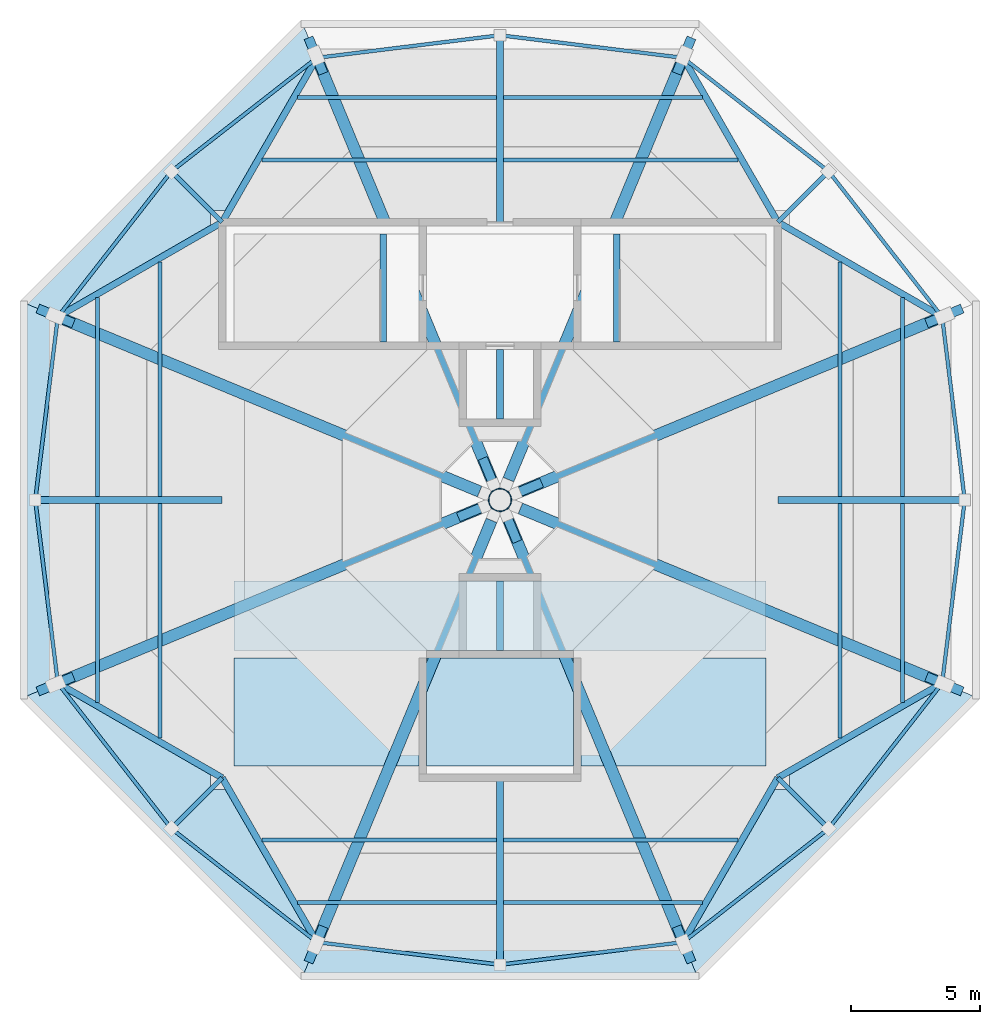
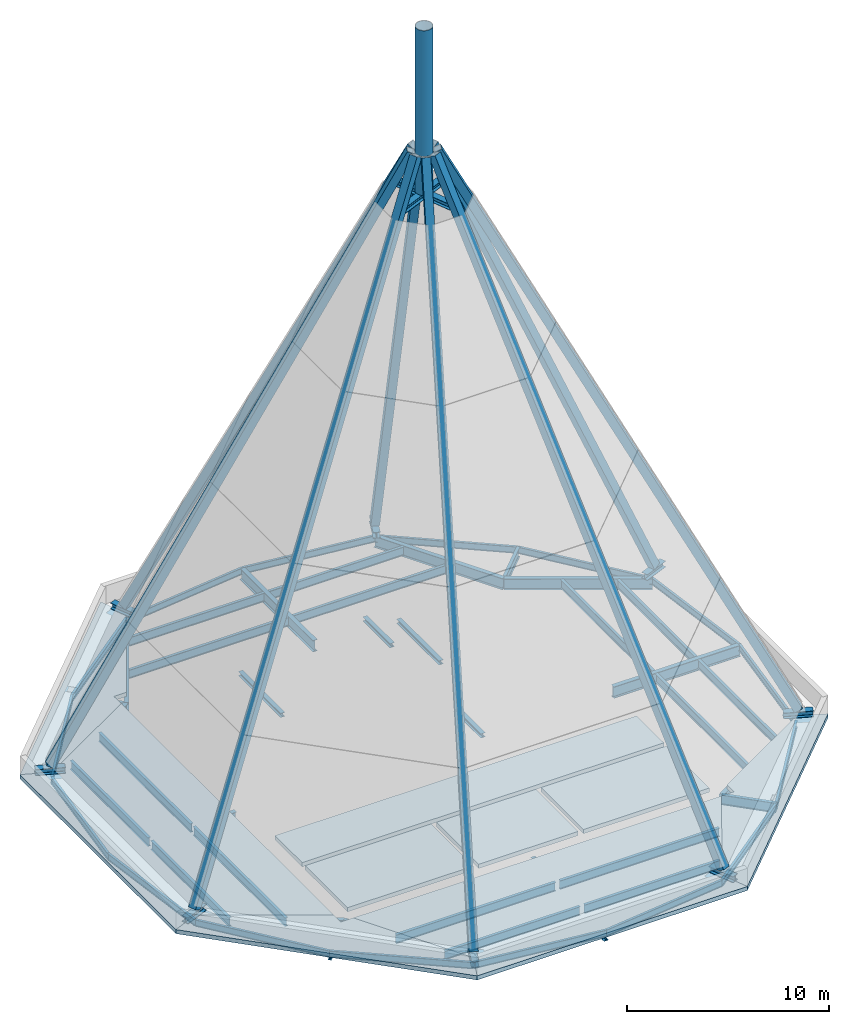
# One storey, part 1 of 4: 63 beams, 9 members, 9 slabs.
"""IFC4 building model written with IfcOpenShell, lengths in metres."""

from ifc_helpers import new_model, si_unit, direction, frame, origin, origin_2d, place, context, subcontext, project, spatial, polyline, hollow_rectangle, hollow_circle, i_section, outline, extrude, source, transform, mapped, material, layer, layer_set, material_profile, profile_set, type_object, type_shapes, element, save


model = new_model("IFC4")

# Units and contexts
model_context = context("Model", 3, precision=1e-05, world=origin(), true_north=direction((0.0, 1.0)))
body_context = subcontext(model_context, "Body", "Model", "MODEL_VIEW")
ifc_project = project(units=[si_unit("LENGTHUNIT", "METRE"), si_unit("AREAUNIT", "SQUARE_METRE"), si_unit("VOLUMEUNIT", "CUBIC_METRE"), si_unit("PLANEANGLEUNIT", "RADIAN"), si_unit("MASSUNIT", "GRAM", prefix="KILO")], contexts=[model_context])

# Site, building, storey
site_placement = place(None, origin())
site = spatial("IfcSite", under=ifc_project, at=site_placement, CompositionType="ELEMENT")
building_placement = place(site_placement, origin())
building = spatial("IfcBuilding", under=site, at=building_placement, Name="Mashrafa Tower", CompositionType="ELEMENT")
storey_placement = place(building_placement, frame((0.0, 0.0, 323.60009765625)))
storey = spatial("IfcBuildingStorey", under=building, at=storey_placement, Name="RF", CompositionType="ELEMENT", Elevation=323.60009765625)

# Beams
ifc_material_1 = material(Name="Steel ASTM A992", Category="steel")
ifc_material_profile_1 = material_profile(ifc_material_1, i_section(OverallWidth=0.140380859375, OverallDepth=0.40380859375, WebThickness=0.007080078125, FlangeThickness=0.01123046875, FilletRadius=0.01025390625, at=origin_2d()), Name="W16X31")
ifc_profile_set_1 = profile_set([ifc_material_profile_1], Name="Steel ASTM A992")
beam_type_1 = type_object("IfcBeamType", Name="Beam W16X31", PredefinedType="BEAM", material=ifc_profile_set_1)
for number, where, z_axis, x_axis, name in (
    (1, (-18.067626953125, 0.0, -0.4521484375), (0.122409457758, -0.992479684755, 0.0), (0.992479684755, 0.122409457758, 0.0), "Spandrel beam RF 033"),
    (2, (-17.189453125, -7.1201171875, -0.4521484375), (0.615249706785, -0.788332289267, 0.0), (0.788332289267, 0.615249706785, 0.0), "Spandrel beam RF 034"),
    (3, (-17.189453125, 7.1201171875, -0.4521484375), (-0.122409457758, -0.992479684755, 0.0), (0.992479684755, -0.122409457758, 0.0), "Spandrel beam RF 035"),
    (4, (-12.775634765625, -12.775634765625, -0.4521484375), (0.788332289267, -0.615249706785, 0.0), (0.615249706785, 0.788332289267, 0.0), "Spandrel beam RF 036"),
    (5, (-12.775634765625, 12.775634765625, -0.4521484375), (-0.615249706785, -0.788332289267, 0.0), (0.788332289267, -0.615249706785, 0.0), "Spandrel beam RF 037"),
    (6, (-7.1201171875, -17.189453125, -0.4521484375), (0.992479684755, -0.122409457758, 0.0), (0.122409457758, 0.992479684755, 0.0), "Spandrel beam RF 038"),
    (7, (-7.1201171875, 17.189453125, -0.4521484375), (-0.788332289267, -0.615249706785, 0.0), (0.615249706785, -0.788332289267, 0.0), "Spandrel beam RF 039"),
    (8, (0.0, -18.067626953125, -0.4521484375), (0.992479684755, 0.122409457758, 0.0), (-0.122409457758, 0.992479684755, 0.0), "Spandrel beam RF 040"),
    (9, (0.0, 18.067626953125, -0.4521484375), (-0.992479684755, -0.122409457758, 0.0), (0.122409457758, -0.992479684755, 0.0), "Spandrel beam RF 041"),
    (10, (7.1201171875, -17.189453125, -0.4521484375), (0.788332289267, 0.615249706785, 0.0), (-0.615249706785, 0.788332289267, 0.0), "Spandrel beam RF 042"),
    (11, (7.1201171875, 17.189453125, -0.4521484375), (-0.992479684755, 0.122409457758, 0.0), (-0.122409457758, -0.992479684755, 0.0), "Spandrel beam RF 043"),
    (12, (12.775634765625, -12.775634765625, -0.4521484375), (0.615249706785, 0.788332289267, 0.0), (-0.788332289267, 0.615249706785, 0.0), "Spandrel beam RF 044"),
    (13, (12.775634765625, 12.775634765625, -0.4521484375), (-0.788332289267, 0.615249706785, 0.0), (-0.615249706785, -0.788332289267, 0.0), "Spandrel beam RF 045"),
    (14, (17.189453125, -7.1201171875, -0.4521484375), (0.122409457758, 0.992479684755, 0.0), (-0.992479684755, 0.122409457758, 0.0), "Spandrel beam RF 046"),
    (15, (17.189453125, 7.1201171875, -0.4521484375), (-0.615249706785, 0.788332289267, 0.0), (-0.788332289267, -0.615249706785, 0.0), "Spandrel beam RF 047"),
    (16, (18.067626953125, 0.0, -0.4521484375), (-0.122409457758, 0.992479684755, 0.0), (-0.992479684755, -0.122409457758, 0.0), "Spandrel beam RF 048"),
):
    element("IfcBeam", number, at=place(storey_placement, frame(where, z_axis=z_axis, x_axis=x_axis)), inside=storey, type_object=beam_type_1, Name=name, PredefinedType="BEAM", context=body_context, shape_type="SweptSolid", body=[
        extrude(i_section(OverallWidth=0.140380859375, OverallDepth=0.40380859375, WebThickness=0.007080078125, FlangeThickness=0.01123046875, FilletRadius=0.01025390625, at=origin_2d()), origin(), (0.0, 0.0, 1.0), 7.174072265625),
    ])
ifc_material_2 = material(Name="Steel ASTM A992", Category="steel")
ifc_material_profile_2 = material_profile(ifc_material_2, i_section(OverallWidth=0.1650390625, OverallDepth=0.52587890625, WebThickness=0.0087890625, FlangeThickness=0.011474609375, FilletRadius=0.0126953125, at=origin_2d()), Name="W21X44")
ifc_profile_set_2 = profile_set([ifc_material_profile_2], Name="Steel ASTM A992")
beam_type_2 = type_object("IfcBeamType", Name="Beam W21X44", PredefinedType="BEAM", material=ifc_profile_set_2)
for number, where, z_axis, x_axis, name in (
    (17, (-15.64501953125, -7.86279296875, -0.512939453125), (0.0, 1.0, 0.0), (-1.0, 0.0, 0.0), "Floor beam RF 001"),
    (18, (-15.64501953125, 0.12841796875, -0.512939453125), (0.0, 1.0, 0.0), (-1.0, 0.0, 0.0), "Floor beam RF 002"),
):
    element("IfcBeam", number, at=place(storey_placement, frame(where, z_axis=z_axis, x_axis=x_axis)), inside=storey, type_object=beam_type_2, Name=name, PredefinedType="BEAM", context=body_context, shape_type="SweptSolid", body=[
        extrude(i_section(OverallWidth=0.1650390625, OverallDepth=0.52587890625, WebThickness=0.0087890625, FlangeThickness=0.011474609375, FilletRadius=0.0126953125, at=origin_2d()), origin(), (0.0, 0.0, 1.0), 7.734375),
    ])
for number, where, z_axis, x_axis, name in (
    (19, (-13.222412109375, -9.25830078125, -0.512939453125), (0.0, 1.0, 0.0), (-1.0, 0.0, 0.0), "Floor beam RF 003"),
    (20, (-13.222412109375, 0.12841796875, -0.512939453125), (0.0, 1.0, 0.0), (-1.0, 0.0, 0.0), "Floor beam RF 004"),
    (21, (-9.25830078125, 13.222412109375, -0.512939453125), (1.0, 0.0, 0.0), (0.0, 1.0, 0.0), "Floor beam RF 005"),
):
    element("IfcBeam", number, at=place(storey_placement, frame(where, z_axis=z_axis, x_axis=x_axis)), inside=storey, type_object=beam_type_2, Name=name, PredefinedType="BEAM", context=body_context, shape_type="SweptSolid", body=[
        extrude(i_section(OverallWidth=0.1650390625, OverallDepth=0.52587890625, WebThickness=0.0087890625, FlangeThickness=0.011474609375, FilletRadius=0.0126953125, at=origin_2d()), origin(), (0.0, 0.0, 1.0), 9.1298828125),
    ])
for number, where, z_axis, x_axis, name in (
    (22, (-7.86279296875, 15.64501953125, -0.512939453125), (1.0, 0.0, 0.0), (0.0, 1.0, 0.0), "Floor beam RF 006"),
    (23, (-0.12841796875, -15.64501953125, -0.512939453125), (-1.0, 0.0, 0.0), (0.0, -1.0, 0.0), "Floor beam RF 007"),
):
    element("IfcBeam", number, at=place(storey_placement, frame(where, z_axis=z_axis, x_axis=x_axis)), inside=storey, type_object=beam_type_2, Name=name, PredefinedType="BEAM", context=body_context, shape_type="SweptSolid", body=[
        extrude(i_section(OverallWidth=0.1650390625, OverallDepth=0.52587890625, WebThickness=0.0087890625, FlangeThickness=0.011474609375, FilletRadius=0.0126953125, at=origin_2d()), origin(), (0.0, 0.0, 1.0), 7.734375),
    ])
for number, where, z_axis, x_axis, name in (
    (24, (-0.12841796875, -13.222412109375, -0.512939453125), (-1.0, 0.0, 0.0), (0.0, -1.0, 0.0), "Floor beam RF 008"),
    (25, (0.12841796875, 13.222412109375, -0.512939453125), (1.0, 0.0, 0.0), (0.0, 1.0, 0.0), "Floor beam RF 009"),
):
    element("IfcBeam", number, at=place(storey_placement, frame(where, z_axis=z_axis, x_axis=x_axis)), inside=storey, type_object=beam_type_2, Name=name, PredefinedType="BEAM", context=body_context, shape_type="SweptSolid", body=[
        extrude(i_section(OverallWidth=0.1650390625, OverallDepth=0.52587890625, WebThickness=0.0087890625, FlangeThickness=0.011474609375, FilletRadius=0.0126953125, at=origin_2d()), origin(), (0.0, 0.0, 1.0), 9.1298828125),
    ])
for number, where, z_axis, x_axis, name in (
    (26, (0.12841796875, 15.64501953125, -0.512939453125), (1.0, 0.0, 0.0), (0.0, 1.0, 0.0), "Floor beam RF 010"),
    (27, (7.86279296875, -15.64501953125, -0.512939453125), (-1.0, 0.0, 0.0), (0.0, -1.0, 0.0), "Floor beam RF 011"),
):
    element("IfcBeam", number, at=place(storey_placement, frame(where, z_axis=z_axis, x_axis=x_axis)), inside=storey, type_object=beam_type_2, Name=name, PredefinedType="BEAM", context=body_context, shape_type="SweptSolid", body=[
        extrude(i_section(OverallWidth=0.1650390625, OverallDepth=0.52587890625, WebThickness=0.0087890625, FlangeThickness=0.011474609375, FilletRadius=0.0126953125, at=origin_2d()), origin(), (0.0, 0.0, 1.0), 7.734375),
    ])
for number, where, z_axis, x_axis, name in (
    (28, (9.25830078125, -13.222412109375, -0.512939453125), (-1.0, 0.0, 0.0), (0.0, -1.0, 0.0), "Floor beam RF 012"),
    (29, (13.222412109375, -0.12841796875, -0.512939453125), (0.0, -1.0, 0.0), (1.0, 0.0, 0.0), "Floor beam RF 013"),
    (30, (13.222412109375, 9.25830078125, -0.512939453125), (0.0, -1.0, 0.0), (1.0, 0.0, 0.0), "Floor beam RF 014"),
):
    element("IfcBeam", number, at=place(storey_placement, frame(where, z_axis=z_axis, x_axis=x_axis)), inside=storey, type_object=beam_type_2, Name=name, PredefinedType="BEAM", context=body_context, shape_type="SweptSolid", body=[
        extrude(i_section(OverallWidth=0.1650390625, OverallDepth=0.52587890625, WebThickness=0.0087890625, FlangeThickness=0.011474609375, FilletRadius=0.0126953125, at=origin_2d()), origin(), (0.0, 0.0, 1.0), 9.1298828125),
    ])
for number, where, z_axis, x_axis, name in (
    (31, (15.64501953125, -0.12841796875, -0.512939453125), (0.0, -1.0, 0.0), (1.0, 0.0, 0.0), "Floor beam RF 015"),
    (32, (15.64501953125, 7.86279296875, -0.512939453125), (0.0, -1.0, 0.0), (1.0, 0.0, 0.0), "Floor beam RF 016"),
):
    element("IfcBeam", number, at=place(storey_placement, frame(where, z_axis=z_axis, x_axis=x_axis)), inside=storey, type_object=beam_type_2, Name=name, PredefinedType="BEAM", context=body_context, shape_type="SweptSolid", body=[
        extrude(i_section(OverallWidth=0.1650390625, OverallDepth=0.52587890625, WebThickness=0.0087890625, FlangeThickness=0.011474609375, FilletRadius=0.0126953125, at=origin_2d()), origin(), (0.0, 0.0, 1.0), 7.734375),
    ])
ifc_material_3 = material(Name="Steel ASTM A992", Category="steel")
ifc_material_profile_3 = material_profile(ifc_material_3, i_section(OverallWidth=0.177978515625, OverallDepth=0.599365234375, WebThickness=0.010009765625, FlangeThickness=0.012939453125, FilletRadius=0.012939453125, at=origin_2d()), Name="W24X55")
ifc_profile_set_3 = profile_set([ifc_material_profile_3], Name="Steel ASTM A992")
beam_type_3 = type_object("IfcBeamType", Name="Beam W24X55", PredefinedType="BEAM", material=ifc_profile_set_3)
for number, where, z_axis, x_axis, name in (
    (33, (-10.800048828125, -10.800048828125, -0.5498046875), (-0.707106781187, -0.707106781187, 0.0), (0.707106781187, -0.707106781187, 0.0), "Radial girder RF 018"),
    (34, (-10.800048828125, 10.800048828125, -0.5498046875), (-0.707106781187, 0.707106781187, 0.0), (-0.707106781187, -0.707106781187, 0.0), "Radial girder RF 022"),
    (35, (10.800048828125, -10.800048828125, -0.5498046875), (0.707106781187, -0.707106781187, 0.0), (0.707106781187, 0.707106781187, 0.0), "Radial girder RF 027"),
    (36, (10.800048828125, 10.800048828125, -0.5498046875), (0.707106781187, 0.707106781187, 0.0), (-0.707106781187, 0.707106781187, 0.0), "Radial girder RF 031"),
):
    element("IfcBeam", number, at=place(storey_placement, frame(where, z_axis=z_axis, x_axis=x_axis)), inside=storey, type_object=beam_type_3, Name=name, PredefinedType="BEAM", context=body_context, shape_type="SweptSolid", body=[
        extrude(i_section(OverallWidth=0.177978515625, OverallDepth=0.599365234375, WebThickness=0.010009765625, FlangeThickness=0.012939453125, FilletRadius=0.012939453125, at=origin_2d()), origin(), (0.0, 0.0, 1.0), 2.7939453125),
    ])
ifc_material_4 = material(Name="Steel ASTM A992", Category="steel")
ifc_material_profile_4 = material_profile(ifc_material_4, i_section(OverallWidth=0.256591796875, OverallDepth=0.693359375, WebThickness=0.014404296875, FlangeThickness=0.023681640625, FilletRadius=0.01513671875, at=origin_2d()), Name="W27X114")
ifc_profile_set_4 = profile_set([ifc_material_profile_4], Name="Steel ASTM A992")
beam_type_4 = type_object("IfcBeamType", Name="Beam W27X114", PredefinedType="BEAM", material=ifc_profile_set_4)
for number, where, z_axis, x_axis, name in (
    (37, (-10.800048828125, 0.0, -0.596923828125), (-1.0, 0.0, 0.0), (0.0, -1.0, 0.0), "Radial girder RF 020"),
    (38, (0.0, -10.800048828125, -0.596923828125), (0.0, -1.0, 0.0), (1.0, 0.0, 0.0), "Radial girder RF 024"),
    (39, (0.0, 10.800048828125, -0.596923828125), (0.0, 1.0, 0.0), (-1.0, 0.0, 0.0), "Radial girder RF 025"),
    (40, (10.800048828125, 0.0, -0.596923828125), (1.0, 0.0, 0.0), (0.0, 1.0, 0.0), "Radial girder RF 029"),
):
    element("IfcBeam", number, at=place(storey_placement, frame(where, z_axis=z_axis, x_axis=x_axis)), inside=storey, type_object=beam_type_4, Name=name, PredefinedType="BEAM", context=body_context, shape_type="SweptSolid", body=[
        extrude(i_section(OverallWidth=0.256591796875, OverallDepth=0.693359375, WebThickness=0.014404296875, FlangeThickness=0.023681640625, FilletRadius=0.01513671875, at=origin_2d()), origin(), (0.0, 0.0, 1.0), 7.267578125),
    ])
ifc_material_5 = material(Name="Steel ASTM A992", Category="steel")
ifc_material_profile_5 = material_profile(ifc_material_5, i_section(OverallWidth=0.25390625, OverallDepth=0.67822265625, WebThickness=0.01171875, FlangeThickness=0.016357421875, FilletRadius=0.01513671875, at=origin_2d()), Name="W27X84")
ifc_profile_set_5 = profile_set([ifc_material_profile_5], Name="Steel ASTM A992")
beam_type_5 = type_object("IfcBeamType", Name="Beam W27X84", PredefinedType="BEAM", material=ifc_profile_set_5)
for number, where, z_axis, x_axis, name in (
    (41, (-10.800048828125, -10.800048828125, -0.589111328125), (-0.866553029158, 0.499085010451, 0.0), (-0.499085010451, -0.866553029158, 0.0), "Radial girder RF 017"),
    (42, (-10.800048828125, -10.800048828125, -0.589111328125), (0.499085010451, -0.866553029158, 0.0), (0.866553029158, 0.499085010451, 0.0), "Radial girder RF 019"),
    (43, (-10.800048828125, 10.800048828125, -0.589111328125), (-0.866553029158, -0.499085010451, 0.0), (0.499085010451, -0.866553029158, 0.0), "Radial girder RF 021"),
    (44, (-10.800048828125, 10.800048828125, -0.589111328125), (0.499085010451, 0.866553029158, 0.0), (-0.866553029158, 0.499085010451, 0.0), "Radial girder RF 023"),
    (45, (10.800048828125, -10.800048828125, -0.589111328125), (-0.499085010451, -0.866553029158, 0.0), (0.866553029158, -0.499085010451, 0.0), "Radial girder RF 026"),
    (46, (10.800048828125, -10.800048828125, -0.589111328125), (0.866553029158, 0.499085010451, 0.0), (-0.499085010451, 0.866553029158, 0.0), "Radial girder RF 028"),
    (47, (10.800048828125, 10.800048828125, -0.589111328125), (-0.499085010451, 0.866553029158, 0.0), (-0.866553029158, -0.499085010451, 0.0), "Radial girder RF 030"),
    (48, (10.800048828125, 10.800048828125, -0.589111328125), (0.866553029158, -0.499085010451, 0.0), (0.499085010451, 0.866553029158, 0.0), "Radial girder RF 032"),
):
    element("IfcBeam", number, at=place(storey_placement, frame(where, z_axis=z_axis, x_axis=x_axis)), inside=storey, type_object=beam_type_5, Name=name, PredefinedType="BEAM", context=body_context, shape_type="SweptSolid", body=[
        extrude(i_section(OverallWidth=0.25390625, OverallDepth=0.67822265625, WebThickness=0.01171875, FlangeThickness=0.016357421875, FilletRadius=0.01513671875, at=origin_2d()), origin(), (0.0, 0.0, 1.0), 7.373291015625),
    ])
ifc_material_6 = material(Name="Steel ASTM A992", Category="steel")
ifc_material_profile_6 = material_profile(ifc_material_6, i_section(OverallWidth=0.368408203125, OverallDepth=0.355712890625, WebThickness=0.01123046875, FlangeThickness=0.01806640625, FilletRadius=0.01513671875, at=origin_2d()), Name="W14X90")
ifc_profile_set_6 = profile_set([ifc_material_profile_6], Name="Steel ASTM A992")
beam_type_6 = type_object("IfcBeamType", Name="Crown finial seat beam W14X90", PredefinedType="BEAM", material=ifc_profile_set_6)
beam_placement = place(storey_placement, frame((-1.61962890625, -0.6708984375, 33.322021484375), z_axis=(0.923874252867, 0.382696178305, 0.0), x_axis=(-0.382696178305, 0.923874252867, 0.0)))
element("IfcBeam", 49, at=beam_placement, inside=storey, type_object=beam_type_6, Name="Crown finial seat beam 1", PredefinedType="BEAM", context=body_context, shape_type="SweptSolid", body=[
    extrude(i_section(OverallWidth=0.368408203125, OverallDepth=0.355712890625, WebThickness=0.01123046875, FlangeThickness=0.01806640625, FilletRadius=0.01513671875, at=origin_2d()), origin(), (0.0, 0.0, 1.0), 3.506103515625),
])
for number, where, z_axis, x_axis, name in (
    (50, (0.6708984375, -1.61962890625, 33.322021484375), (-0.382658737204, 0.923889761195, 0.0), (-0.923889761195, -0.382658737204, 0.0), "Crown finial seat beam 2 part 1"),
    (51, (-0.070556640625, 0.170166015625, 33.322021484375), (-0.382658737204, 0.923889761195, 0.0), (-0.923889761195, -0.382658737204, 0.0), "Crown finial seat beam 2 part 2"),
):
    element("IfcBeam", number, at=place(storey_placement, frame(where, z_axis=z_axis, x_axis=x_axis)), inside=storey, type_object=beam_type_6, Name=name, PredefinedType="BEAM", context=body_context, shape_type="SweptSolid", body=[
        extrude(i_section(OverallWidth=0.368408203125, OverallDepth=0.355712890625, WebThickness=0.01123046875, FlangeThickness=0.01806640625, FilletRadius=0.01513671875, at=origin_2d()), origin(), (0.0, 0.0, 1.0), 1.56884765625),
    ])
ifc_material_7 = material(Name="Steel ASTM A992", Category="steel")
ifc_material_profile_7 = material_profile(ifc_material_7, i_section(OverallWidth=0.368408203125, OverallDepth=0.355712890625, WebThickness=0.01123046875, FlangeThickness=0.01806640625, FilletRadius=0.01513671875, at=origin_2d()), Name="W14X90")
ifc_profile_set_7 = profile_set([ifc_material_profile_7], Name="Steel ASTM A992")
beam_type_7 = type_object("IfcBeamType", Name="Crown rib bearing beam W14X90", PredefinedType="BEAM", material=ifc_profile_set_7)
for number, where, z_axis, x_axis, name in (
    (52, (16.581787109375, 6.868408203125, 0.177734375), (0.923883916457, 0.382672848413, 0.0), (-0.382672848413, 0.923883916457, 0.0), "Crown rib bearing beam 1"),
    (53, (6.868408203125, 16.581787109375, 0.177734375), (0.382672848413, 0.923883916457, 0.0), (-0.923883916457, 0.382672848413, 0.0), "Crown rib bearing beam 2"),
    (54, (-6.868408203125, 16.581787109375, 0.177734375), (-0.382672848413, 0.923883916457, 0.0), (-0.923883916457, -0.382672848413, 0.0), "Crown rib bearing beam 3"),
    (55, (-16.581787109375, 6.868408203125, 0.177734375), (-0.923883916457, 0.382672848413, 0.0), (-0.382672848413, -0.923883916457, 0.0), "Crown rib bearing beam 4"),
    (56, (-16.581787109375, -6.868408203125, 0.177734375), (-0.923883916457, -0.382672848413, 0.0), (0.382672848413, -0.923883916457, 0.0), "Crown rib bearing beam 5"),
    (57, (-6.868408203125, -16.581787109375, 0.177734375), (-0.382672848413, -0.923883916457, 0.0), (0.923883916457, -0.382672848413, 0.0), "Crown rib bearing beam 6"),
    (58, (6.868408203125, -16.581787109375, 0.177734375), (0.382672848413, -0.923883916457, 0.0), (0.923883916457, 0.382672848413, 0.0), "Crown rib bearing beam 7"),
    (59, (16.581787109375, -6.868408203125, 0.177734375), (0.923883916457, -0.382672848413, 0.0), (0.382672848413, 0.923883916457, 0.0), "Crown rib bearing beam 8"),
):
    element("IfcBeam", number, at=place(storey_placement, frame(where, z_axis=z_axis, x_axis=x_axis)), inside=storey, type_object=beam_type_7, Name=name, PredefinedType="BEAM", context=body_context, shape_type="SweptSolid", body=[
        extrude(i_section(OverallWidth=0.368408203125, OverallDepth=0.355712890625, WebThickness=0.01123046875, FlangeThickness=0.01806640625, FilletRadius=0.01513671875, at=origin_2d()), origin(), (0.0, 0.0, 1.0), 1.5),
    ])
ifc_material_8 = material(Name="Steel ASTM A992", Category="steel")
ifc_material_profile_8 = material_profile(ifc_material_8, i_section(OverallWidth=0.25390625, OverallDepth=0.25390625, WebThickness=0.008544921875, FlangeThickness=0.01416015625, FilletRadius=0.010009765625, at=origin_2d()), Name="W10X49")
ifc_profile_set_8 = profile_set([ifc_material_profile_8], Name="Steel ASTM A992")
beam_type_8 = type_object("IfcBeamType", Name="Hoistway beam W10X49", PredefinedType="BEAM", material=ifc_profile_set_8)
for number, where, z_axis, x_axis, name in (
    (60, (0.0, 3.14990234375, 4.072998046875), (0.0, 1.0, 0.0), (-1.0, 0.0, 0.0), "Hoist beam F1 overrun"),
    (61, (0.0, -5.85009765625, 4.072998046875), (0.0, 1.0, 0.0), (-1.0, 0.0, 0.0), "Hoist beam F2 overrun"),
):
    element("IfcBeam", number, at=place(storey_placement, frame(where, z_axis=z_axis, x_axis=x_axis)), inside=storey, type_object=beam_type_8, Name=name, PredefinedType="BEAM", context=body_context, shape_type="SweptSolid", body=[
        extrude(i_section(OverallWidth=0.25390625, OverallDepth=0.25390625, WebThickness=0.008544921875, FlangeThickness=0.01416015625, FilletRadius=0.010009765625, at=origin_2d()), origin(), (0.0, 0.0, 1.0), 2.7001953125),
    ])
for number, where, z_axis, x_axis, name in (
    (62, (-4.530029296875, 6.14990234375, -0.377197265625), (0.0, 1.0, 0.0), (-1.0, 0.0, 0.0), "Stair S1 landing beam RF"),
    (63, (4.530029296875, 6.14990234375, -0.377197265625), (0.0, 1.0, 0.0), (-1.0, 0.0, 0.0), "Stair S2 landing beam RF"),
):
    element("IfcBeam", number, at=place(storey_placement, frame(where, z_axis=z_axis, x_axis=x_axis)), inside=storey, type_object=beam_type_8, Name=name, PredefinedType="BEAM", context=body_context, shape_type="SweptSolid", body=[
        extrude(i_section(OverallWidth=0.25390625, OverallDepth=0.25390625, WebThickness=0.008544921875, FlangeThickness=0.01416015625, FilletRadius=0.010009765625, at=origin_2d()), origin(), (0.0, 0.0, 1.0), 4.2001953125),
    ])

# Members
ifc_material_9 = material(Name="Steel S355", Category="steel")
ifc_material_profile_9 = material_profile(ifc_material_9, hollow_rectangle(XDim=0.449951171875, YDim=0.449951171875, WallThickness=0.02001953125, at=origin_2d()), Name="RHS 450x450x20")
ifc_profile_set_9 = profile_set([ifc_material_profile_9], Name="Steel S355")
member_type_1 = type_object("IfcMemberType", Name="Crown rib RHS 450x450x20", PredefinedType="MEMBER", material=ifc_profile_set_9)
shared_shape_1 = source(origin(), body_context, "Body", "SweptSolid", [
    extrude(hollow_rectangle(XDim=0.449951171875, YDim=0.449951171875, WallThickness=0.02001953125, at=origin_2d()), origin(), (0.0, 0.0, 1.0), 39.84228515625),
])
type_shapes(member_type_1, [shared_shape_1])
for number, where, z_axis, x_axis, name in (
    (64, (17.274658203125, 7.155517578125, 0.457275390625), (-0.418281951652, -0.173260312374, 0.891639542123), (0.382687683865, -0.923877771471, 0.0), "Crown rib 1"),
    (65, (7.155517578125, 17.274658203125, 0.457275390625), (-0.173260312374, -0.418281951652, 0.891639542123), (0.923877771471, -0.382687683865, 0.0), "Crown rib 2"),
    (66, (-7.155517578125, 17.274658203125, 0.457275390625), (0.173260312374, -0.418281951652, 0.891639542123), (0.923877771471, 0.382687683865, 0.0), "Crown rib 3"),
    (67, (-17.274658203125, 7.155517578125, 0.457275390625), (0.418281951652, -0.173260312374, 0.891639542123), (0.382687683865, 0.923877771471, 0.0), "Crown rib 4"),
    (68, (-17.274658203125, -7.155517578125, 0.457275390625), (0.418281951652, 0.173260312374, 0.891639542123), (-0.382687683865, 0.923877771471, 0.0), "Crown rib 5"),
    (69, (-7.155517578125, -17.274658203125, 0.457275390625), (0.173260312374, 0.418281951652, 0.891639542123), (-0.923877771471, 0.382687683865, 0.0), "Crown rib 6"),
    (70, (7.155517578125, -17.274658203125, 0.457275390625), (-0.173260312374, 0.418281951652, 0.891639542123), (-0.923877771471, -0.382687683865, 0.0), "Crown rib 7"),
    (71, (17.274658203125, -7.155517578125, 0.457275390625), (-0.418281951652, 0.173260312374, 0.891639542123), (-0.382687683865, -0.923877771471, 0.0), "Crown rib 8"),
):
    element("IfcMember", number, at=place(storey_placement, frame(where, z_axis=z_axis, x_axis=x_axis)), inside=storey, type_object=member_type_1, Name=name, PredefinedType="MEMBER", context=body_context, shape_type="MappedRepresentation", body=[
        mapped(shared_shape_1, transform((0.0, 0.0, 0.0))),
    ])
ifc_material_10 = material(Name="Steel S355, bronze-finish cladding", Category="steel")
ifc_material_profile_10 = material_profile(ifc_material_10, hollow_circle(Radius=0.449951171875, WallThickness=0.02490234375, at=origin_2d()), Name="CHS 900x25")
ifc_profile_set_10 = profile_set([ifc_material_profile_10], Name="Steel S355, bronze-finish cladding")
member_type_2 = type_object("IfcMemberType", Name="Crown finial CHS 900x25", PredefinedType="MEMBER", material=ifc_profile_set_10)
shared_shape_2 = source(origin(), body_context, "Body", "SweptSolid", [
    extrude(hollow_circle(Radius=0.449951171875, WallThickness=0.02490234375, at=origin_2d()), origin(), (0.0, 0.0, 1.0), 9.974853515625),
])
type_shapes(member_type_2, [shared_shape_2])
member_placement = place(storey_placement, frame((0.0, 0.0, 33.5), z_axis=(0.0, 0.0, 1.0), x_axis=(1.0, 0.0, 0.0)))
element("IfcMember", 72, at=member_placement, inside=storey, type_object=member_type_2, Name="Crown finial", PredefinedType="MEMBER", context=body_context, shape_type="MappedRepresentation", body=[
    mapped(shared_shape_2, transform((0.0, 0.0, 0.0))),
])

# Slabs
ifc_material_11 = material(Name="Concrete C35/45", Category="concrete")
ifc_layer = layer(ifc_material_11, 0.25)
ifc_layer_set = layer_set([ifc_layer], Name="Roof slab 250")
slab_type = type_object("IfcSlabType", Name="Roof slab 250", PredefinedType="ROOF", material=ifc_layer_set)
slab_1_placement = place(storey_placement, frame((0.0, 0.0, -0.25)))
element("IfcSlab", 73, at=slab_1_placement, inside=storey, type_object=slab_type, Name="Roof slab RF north-west bay", PredefinedType="ROOF", context=body_context, shape_type="SweptSolid", body=[
    extrude(outline(polyline([(-7.7294921875, 18.66064453125), (-7.1201171875, 17.189453125), (-10.540771484375, 11.25), (-11.25, 11.25), (-11.25, 10.540771484375), (-17.189453125, 7.1201171875), (-18.66064453125, 7.7294921875), (-7.7294921875, 18.66064453125)])), origin(), (0.0, 0.0, 1.0), 0.25),
])
slab_2_placement = place(storey_placement, frame((0.0, 0.0, -0.25)))
element("IfcSlab", 74, at=slab_2_placement, inside=storey, type_object=slab_type, Name="Roof slab RF west bay", PredefinedType="ROOF", context=body_context, shape_type="SweptSolid", body=[
    extrude(outline(polyline([(-18.66064453125, -7.7294921875), (-18.66064453125, 7.7294921875), (-18.66064453125, 7.7294921875), (-17.189453125, 7.1201171875), (-11.25, 10.540771484375), (-11.25, -10.540771484375), (-17.189453125, -7.1201171875), (-18.66064453125, -7.7294921875), (-18.66064453125, -7.7294921875)])), origin(), (0.0, 0.0, 1.0), 0.25),
])
slab_3_placement = place(storey_placement, frame((0.0, 0.0, -0.25)))
element("IfcSlab", 75, at=slab_3_placement, inside=storey, type_object=slab_type, Name="Roof slab RF south-west bay", PredefinedType="ROOF", context=body_context, shape_type="SweptSolid", body=[
    extrude(outline(polyline([(-18.66064453125, -7.7294921875), (-17.189453125, -7.1201171875), (-11.25, -10.540771484375), (-11.25, -11.25), (-10.540771484375, -11.25), (-7.1201171875, -17.189453125), (-7.7294921875, -18.66064453125), (-18.66064453125, -7.7294921875)])), origin(), (0.0, 0.0, 1.0), 0.25),
])
slab_4_placement = place(storey_placement, frame((0.0, 0.0, -0.25)))
element("IfcSlab", 76, at=slab_4_placement, inside=storey, type_object=slab_type, Name="Roof slab RF south bay", PredefinedType="ROOF", context=body_context, shape_type="SweptSolid", body=[
    extrude(outline(polyline([(-7.7294921875, -18.66064453125), (-7.7294921875, -18.66064453125), (-7.1201171875, -17.189453125), (-10.540771484375, -11.25), (10.540771484375, -11.25), (7.1201171875, -17.189453125), (7.7294921875, -18.66064453125), (7.7294921875, -18.66064453125), (-7.7294921875, -18.66064453125)])), origin(), (0.0, 0.0, 1.0), 0.25),
])
slab_5_placement = place(storey_placement, frame((0.0, 0.0, -0.25)))
element("IfcSlab", 77, at=slab_5_placement, inside=storey, type_object=slab_type, Name="Roof slab RF south-east bay", PredefinedType="ROOF", context=body_context, shape_type="SweptSolid", body=[
    extrude(outline(polyline([(7.7294921875, -18.66064453125), (7.1201171875, -17.189453125), (10.540771484375, -11.25), (11.25, -11.25), (11.25, -10.540771484375), (17.189453125, -7.1201171875), (18.66064453125, -7.7294921875), (7.7294921875, -18.66064453125)])), origin(), (0.0, 0.0, 1.0), 0.25),
])
slab_6_placement = place(storey_placement, frame((0.0, 0.0, -0.25)))
element("IfcSlab", 78, at=slab_6_placement, inside=storey, type_object=slab_type, Name="Core floor lift cell RF", PredefinedType="ROOF", context=body_context, shape_type="SweptSolid", body=[
    extrude(outline(polyline([(-10.35009765625, -3.14990234375), (10.35009765625, -3.14990234375), (10.35009765625, -5.85009765625), (-10.35009765625, -5.85009765625), (-10.35009765625, -3.14990234375)])), origin(), (0.0, 0.0, 1.0), 0.25),
])
slab_7_placement = place(storey_placement, frame((0.0, 0.0, -0.25)))
element("IfcSlab", 79, at=slab_7_placement, inside=storey, type_object=slab_type, Name="Core floor riser and electrical band RF", PredefinedType="ROOF", context=body_context, shape_type="SweptSolid", body=[
    extrude(outline(polyline([(3.14990234375, -10.35009765625), (3.14990234375, -6.14990234375), (10.35009765625, -6.14990234375), (10.35009765625, -10.35009765625), (3.14990234375, -10.35009765625)])), origin(), (0.0, 0.0, 1.0), 0.25),
])
slab_8_placement = place(storey_placement, frame((0.0, 0.0, -0.25)))
element("IfcSlab", 80, at=slab_8_placement, inside=storey, type_object=slab_type, Name="Core floor stair S3 band RF", PredefinedType="ROOF", context=body_context, shape_type="SweptSolid", body=[
    extrude(outline(polyline([(-10.35009765625, -6.14990234375), (-3.14990234375, -6.14990234375), (-3.14990234375, -10.35009765625), (-10.35009765625, -10.35009765625), (-10.35009765625, -6.14990234375)])), origin(), (0.0, 0.0, 1.0), 0.25),
])
slab_9_placement = place(storey_placement, frame((0.0, 0.0, -0.25)))
element("IfcSlab", 81, at=slab_9_placement, inside=storey, type_object=slab_type, Name="Core floor fire-fighting lobby south RF", PredefinedType="ROOF", context=body_context, shape_type="SweptSolid", body=[
    extrude(outline(polyline([(-2.85009765625, -6.14990234375), (2.85009765625, -6.14990234375), (2.85009765625, -10.35009765625), (-2.85009765625, -10.35009765625), (-2.85009765625, -6.14990234375)])), origin(), (0.0, 0.0, 1.0), 0.25),
])

save(model, "model.ifc")
